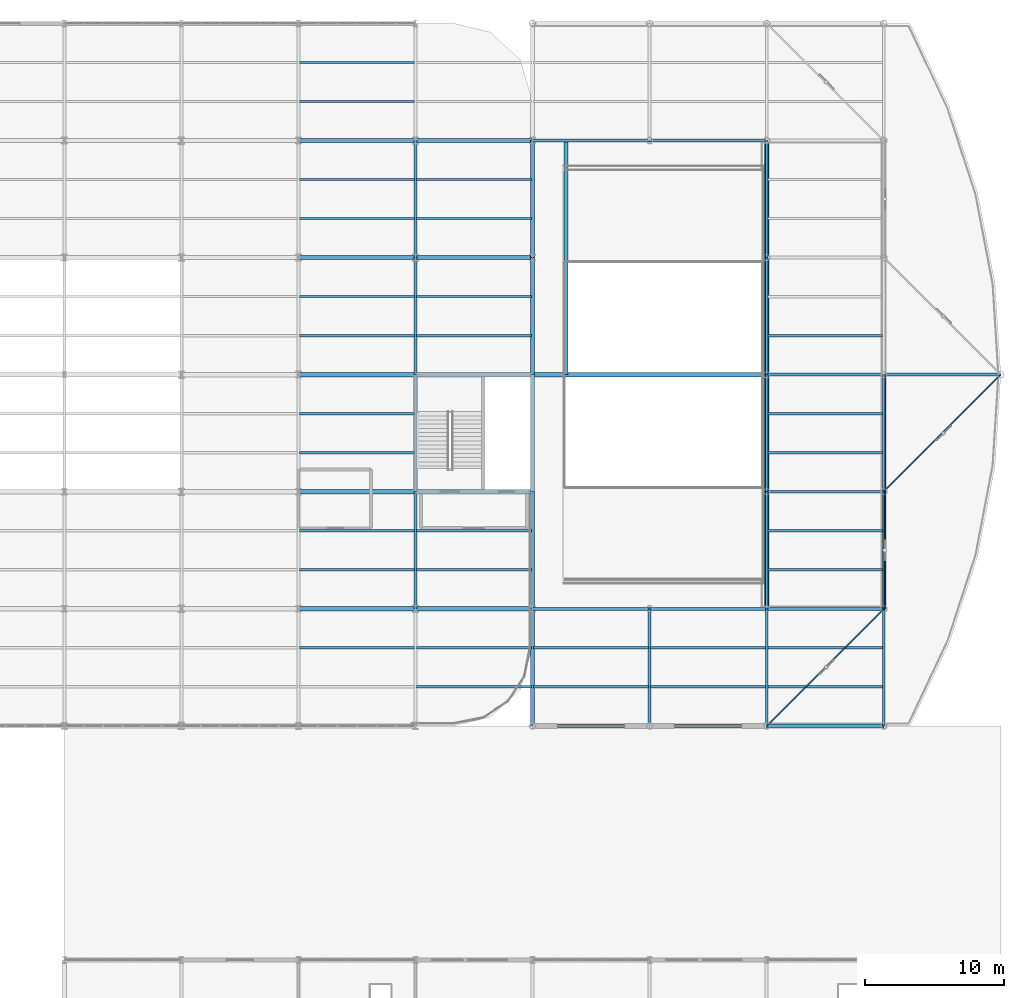
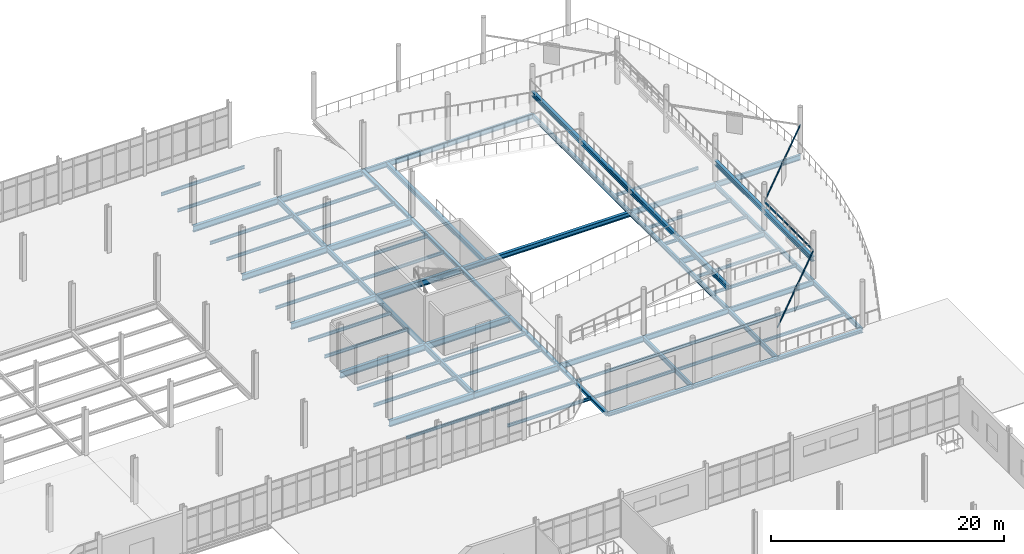
# One storey, part 106 of 145: 80 beams.
"""IFC4 building model written with IfcOpenShell, lengths in metres."""

from ifc_helpers import new_model, si_unit, direction, frame, origin, origin_2d, place, context, subcontext, project, spatial, hollow_rectangle, i_section, extrude, material, material_profile, profile_set, type_object, element, save


model = new_model("IFC4")

# Units and contexts
model_context = context("Model", 3, precision=1e-05, world=origin(), true_north=direction((0.0, 1.0)))
body_context = subcontext(model_context, "Body", "Model", "MODEL_VIEW")
ifc_project = project(units=[si_unit("LENGTHUNIT", "METRE"), si_unit("AREAUNIT", "SQUARE_METRE"), si_unit("VOLUMEUNIT", "CUBIC_METRE"), si_unit("PLANEANGLEUNIT", "RADIAN"), si_unit("MASSUNIT", "GRAM", prefix="KILO")], contexts=[model_context])

# Site, building, storey
site_placement = place(None, origin())
site = spatial("IfcSite", under=ifc_project, at=site_placement, CompositionType="ELEMENT")
building_placement = place(site_placement, origin())
building = spatial("IfcBuilding", under=site, at=building_placement, Name="Qalvenar Corner Mobility Hub", CompositionType="ELEMENT")
storey_placement = place(building_placement, origin())
storey = spatial("IfcBuildingStorey", under=building, at=storey_placement, Name="L00", CompositionType="ELEMENT", Elevation=0.0)

# Beams
ifc_material = material(Name="Steel S355", Category="steel")
ifc_material_profile_1 = material_profile(ifc_material, i_section(OverallWidth=0.300048828125, OverallDepth=0.489990234375, WebThickness=0.011962890625, FlangeThickness=0.02294921875, FilletRadius=0.027099609375, at=origin_2d()), Name="HEA500")
ifc_profile_set_1 = profile_set([ifc_material_profile_1], Name="Steel S355")
beam_type_1 = type_object("IfcBeamType", Name="BM-HEA500", PredefinedType="BEAM", material=ifc_profile_set_1)
for number, where, z_axis, x_axis, name in (
    (1, (142.800048828125, 92.39990234375, -0.512939453125), (1.0, 0.0, 0.0), (0.0, 1.0, 0.0), "Ramp Well Central Tie Girder L00"),
    (2, (145.199951171875, 92.39990234375, -0.512939453125), (0.0, 1.0, 0.0), (-1.0, 0.0, 0.0), "Ramp West Header Girder L00-HI"),
):
    element("IfcBeam", number, at=place(storey_placement, frame(where, z_axis=z_axis, x_axis=x_axis)), inside=storey, type_object=beam_type_1, Name=name, PredefinedType="BEAM", context=body_context, shape_type="SweptSolid", body=[
        extrude(i_section(OverallWidth=0.300048828125, OverallDepth=0.489990234375, WebThickness=0.011962890625, FlangeThickness=0.02294921875, FilletRadius=0.027099609375, at=origin_2d()), origin(), (0.0, 0.0, 1.0), 16.800048828125),
    ])
for number, where, z_axis, x_axis, name in (
    (3, (159.60009765625, 75.60009765625, 1.89697265625), (0.0, 1.0, 0.0), (-1.0, 0.0, 0.0), "Ramp Mid-Landing Girder L00-159-75"),
    (4, (159.60009765625, 84.0, 1.89697265625), (0.0, 1.0, 0.0), (-1.0, 0.0, 0.0), "Ramp Mid-Landing Girder L00-159-84"),
):
    element("IfcBeam", number, at=place(storey_placement, frame(where, z_axis=z_axis, x_axis=x_axis)), inside=storey, type_object=beam_type_1, Name=name, PredefinedType="BEAM", context=body_context, shape_type="SweptSolid", body=[
        extrude(i_section(OverallWidth=0.300048828125, OverallDepth=0.489990234375, WebThickness=0.011962890625, FlangeThickness=0.02294921875, FilletRadius=0.027099609375, at=origin_2d()), origin(), (0.0, 0.0, 1.0), 8.39990234375),
    ])
beam_1_placement = place(storey_placement, frame((159.60009765625, 92.39990234375, 1.89697265625), z_axis=(0.0, 1.0, 0.0), x_axis=(-1.0, 0.0, 0.0)))
element("IfcBeam", 5, at=beam_1_placement, inside=storey, type_object=beam_type_1, Name="Ramp Mid-Landing Girder L00-159-92", PredefinedType="BEAM", context=body_context, shape_type="SweptSolid", body=[
    extrude(i_section(OverallWidth=0.300048828125, OverallDepth=0.489990234375, WebThickness=0.011962890625, FlangeThickness=0.02294921875, FilletRadius=0.027099609375, at=origin_2d()), origin(), (0.0, 0.0, 1.0), 8.400146484375),
])
for number, where, z_axis, x_axis, name in (
    (6, (159.60009765625, 100.800048828125, 1.89697265625), (0.0, 1.0, 0.0), (-1.0, 0.0, 0.0), "Ramp Mid-Landing Girder L00-159-100"),
    (7, (168.0, 75.60009765625, 1.93505859375), (0.0, 1.0, 0.0), (-1.0, 0.0, 0.0), "Ramp Mid-Landing Girder L00-168-75"),
    (8, (168.0, 84.0, 1.93505859375), (0.0, 1.0, 0.0), (-1.0, 0.0, 0.0), "Ramp Mid-Landing Girder L00-168-84"),
):
    element("IfcBeam", number, at=place(storey_placement, frame(where, z_axis=z_axis, x_axis=x_axis)), inside=storey, type_object=beam_type_1, Name=name, PredefinedType="BEAM", context=body_context, shape_type="SweptSolid", body=[
        extrude(i_section(OverallWidth=0.300048828125, OverallDepth=0.489990234375, WebThickness=0.011962890625, FlangeThickness=0.02294921875, FilletRadius=0.027099609375, at=origin_2d()), origin(), (0.0, 0.0, 1.0), 8.39990234375),
    ])
ifc_material_profile_2 = material_profile(ifc_material, i_section(OverallWidth=0.300048828125, OverallDepth=0.639892578125, WebThickness=0.013427734375, FlangeThickness=0.02587890625, FilletRadius=0.027099609375, at=origin_2d()), Name="HEA650")
ifc_profile_set_2 = profile_set([ifc_material_profile_2], Name="Steel S355")
beam_type_2 = type_object("IfcBeamType", Name="BM-HEA650", PredefinedType="BEAM", material=ifc_profile_set_2)
beam_2_placement = place(storey_placement, frame((126.0, 75.60009765625, -0.5400390625), z_axis=(1.0, 0.0, 0.0), x_axis=(0.0, 1.0, 0.0)))
element("IfcBeam", 9, at=beam_2_placement, inside=storey, type_object=beam_type_2, Name="Primary Steel Girder GX-0539", PredefinedType="BEAM", context=body_context, shape_type="SweptSolid", body=[
    extrude(i_section(OverallWidth=0.300048828125, OverallDepth=0.639892578125, WebThickness=0.013427734375, FlangeThickness=0.02587890625, FilletRadius=0.027099609375, at=origin_2d()), origin(), (0.0, 0.0, 1.0), 8.39990234375),
])
beam_3_placement = place(storey_placement, frame((134.39990234375, 75.60009765625, -0.5400390625), z_axis=(1.0, 0.0, 0.0), x_axis=(0.0, 1.0, 0.0)))
element("IfcBeam", 10, at=beam_3_placement, inside=storey, type_object=beam_type_2, Name="Primary Steel Girder GX-0540", PredefinedType="BEAM", context=body_context, shape_type="SweptSolid", body=[
    extrude(i_section(OverallWidth=0.300048828125, OverallDepth=0.639892578125, WebThickness=0.013427734375, FlangeThickness=0.02587890625, FilletRadius=0.027099609375, at=origin_2d()), origin(), (0.0, 0.0, 1.0), 8.400146484375),
])
beam_4_placement = place(storey_placement, frame((126.0, 84.0, -0.5400390625), z_axis=(1.0, 0.0, 0.0), x_axis=(0.0, 1.0, 0.0)))
element("IfcBeam", 11, at=beam_4_placement, inside=storey, type_object=beam_type_2, Name="Primary Steel Girder GX-0549", PredefinedType="BEAM", context=body_context, shape_type="SweptSolid", body=[
    extrude(i_section(OverallWidth=0.300048828125, OverallDepth=0.639892578125, WebThickness=0.013427734375, FlangeThickness=0.02587890625, FilletRadius=0.027099609375, at=origin_2d()), origin(), (0.0, 0.0, 1.0), 8.39990234375),
])
beam_5_placement = place(storey_placement, frame((134.39990234375, 84.0, -0.5400390625), z_axis=(1.0, 0.0, 0.0), x_axis=(0.0, 1.0, 0.0)))
element("IfcBeam", 12, at=beam_5_placement, inside=storey, type_object=beam_type_2, Name="Primary Steel Girder GX-0550", PredefinedType="BEAM", context=body_context, shape_type="SweptSolid", body=[
    extrude(i_section(OverallWidth=0.300048828125, OverallDepth=0.639892578125, WebThickness=0.013427734375, FlangeThickness=0.02587890625, FilletRadius=0.027099609375, at=origin_2d()), origin(), (0.0, 0.0, 1.0), 8.400146484375),
])
beam_6_placement = place(storey_placement, frame((126.0, 92.39990234375, -0.5400390625), z_axis=(1.0, 0.0, 0.0), x_axis=(0.0, 1.0, 0.0)))
element("IfcBeam", 13, at=beam_6_placement, inside=storey, type_object=beam_type_2, Name="Primary Steel Girder GX-0559", PredefinedType="BEAM", context=body_context, shape_type="SweptSolid", body=[
    extrude(i_section(OverallWidth=0.300048828125, OverallDepth=0.639892578125, WebThickness=0.013427734375, FlangeThickness=0.02587890625, FilletRadius=0.027099609375, at=origin_2d()), origin(), (0.0, 0.0, 1.0), 8.39990234375),
])
beam_7_placement = place(storey_placement, frame((134.39990234375, 92.39990234375, -0.5400390625), z_axis=(1.0, 0.0, 0.0), x_axis=(0.0, 1.0, 0.0)))
element("IfcBeam", 14, at=beam_7_placement, inside=storey, type_object=beam_type_2, Name="Primary Steel Girder GX-0560", PredefinedType="BEAM", context=body_context, shape_type="SweptSolid", body=[
    extrude(i_section(OverallWidth=0.300048828125, OverallDepth=0.639892578125, WebThickness=0.013427734375, FlangeThickness=0.02587890625, FilletRadius=0.027099609375, at=origin_2d()), origin(), (0.0, 0.0, 1.0), 8.400146484375),
])
beam_8_placement = place(storey_placement, frame((126.0, 100.800048828125, -0.5400390625), z_axis=(1.0, 0.0, 0.0), x_axis=(0.0, 1.0, 0.0)))
element("IfcBeam", 15, at=beam_8_placement, inside=storey, type_object=beam_type_2, Name="Primary Steel Girder GX-0569", PredefinedType="BEAM", context=body_context, shape_type="SweptSolid", body=[
    extrude(i_section(OverallWidth=0.300048828125, OverallDepth=0.639892578125, WebThickness=0.013427734375, FlangeThickness=0.02587890625, FilletRadius=0.027099609375, at=origin_2d()), origin(), (0.0, 0.0, 1.0), 8.39990234375),
])
beam_9_placement = place(storey_placement, frame((134.39990234375, 100.800048828125, -0.5400390625), z_axis=(1.0, 0.0, 0.0), x_axis=(0.0, 1.0, 0.0)))
element("IfcBeam", 16, at=beam_9_placement, inside=storey, type_object=beam_type_2, Name="Primary Steel Girder GX-0570", PredefinedType="BEAM", context=body_context, shape_type="SweptSolid", body=[
    extrude(i_section(OverallWidth=0.300048828125, OverallDepth=0.639892578125, WebThickness=0.013427734375, FlangeThickness=0.02587890625, FilletRadius=0.027099609375, at=origin_2d()), origin(), (0.0, 0.0, 1.0), 8.400146484375),
])
beam_10_placement = place(storey_placement, frame((126.0, 109.199951171875, -0.5400390625), z_axis=(1.0, 0.0, 0.0), x_axis=(0.0, 1.0, 0.0)))
element("IfcBeam", 17, at=beam_10_placement, inside=storey, type_object=beam_type_2, Name="Primary Steel Girder GX-0579", PredefinedType="BEAM", context=body_context, shape_type="SweptSolid", body=[
    extrude(i_section(OverallWidth=0.300048828125, OverallDepth=0.639892578125, WebThickness=0.013427734375, FlangeThickness=0.02587890625, FilletRadius=0.027099609375, at=origin_2d()), origin(), (0.0, 0.0, 1.0), 8.39990234375),
])
beam_11_placement = place(storey_placement, frame((134.39990234375, 109.199951171875, -0.5400390625), z_axis=(1.0, 0.0, 0.0), x_axis=(0.0, 1.0, 0.0)))
element("IfcBeam", 18, at=beam_11_placement, inside=storey, type_object=beam_type_2, Name="Primary Steel Girder GX-0580", PredefinedType="BEAM", context=body_context, shape_type="SweptSolid", body=[
    extrude(i_section(OverallWidth=0.300048828125, OverallDepth=0.639892578125, WebThickness=0.013427734375, FlangeThickness=0.02587890625, FilletRadius=0.027099609375, at=origin_2d()), origin(), (0.0, 0.0, 1.0), 8.400146484375),
])
ifc_material_profile_3 = material_profile(ifc_material, i_section(OverallWidth=0.199951171875, OverallDepth=0.5, WebThickness=0.01025390625, FlangeThickness=0.01611328125, FilletRadius=0.02099609375, at=origin_2d()), Name="IPE500")
ifc_profile_set_3 = profile_set([ifc_material_profile_3], Name="Steel S355")
beam_type_3 = type_object("IfcBeamType", Name="BM-IPE500", PredefinedType="BEAM", material=ifc_profile_set_3)
for number, where, z_axis, x_axis, name in (
    (19, (151.199951171875, 67.199951171875, -0.469970703125), (0.0, 1.0, 0.0), (-1.0, 0.0, 0.0), "Primary Steel Girder GY-0777"),
    (20, (159.60009765625, 67.199951171875, -0.469970703125), (0.0, 1.0, 0.0), (-1.0, 0.0, 0.0), "Primary Steel Girder GY-0779"),
):
    element("IfcBeam", number, at=place(storey_placement, frame(where, z_axis=z_axis, x_axis=x_axis)), inside=storey, type_object=beam_type_3, Name=name, PredefinedType="BEAM", context=body_context, shape_type="SweptSolid", body=[
        extrude(i_section(OverallWidth=0.199951171875, OverallDepth=0.5, WebThickness=0.01025390625, FlangeThickness=0.01611328125, FilletRadius=0.02099609375, at=origin_2d()), origin(), (0.0, 0.0, 1.0), 8.400146484375),
    ])
for number, where, z_axis, x_axis, name in (
    (21, (159.60009765625, 75.60009765625, -0.469970703125), (0.0, 1.0, 0.0), (-1.0, 0.0, 0.0), "Primary Steel Girder GY-0780"),
    (22, (159.60009765625, 84.0, -0.469970703125), (0.0, 1.0, 0.0), (-1.0, 0.0, 0.0), "Primary Steel Girder GY-0781"),
):
    element("IfcBeam", number, at=place(storey_placement, frame(where, z_axis=z_axis, x_axis=x_axis)), inside=storey, type_object=beam_type_3, Name=name, PredefinedType="BEAM", context=body_context, shape_type="SweptSolid", body=[
        extrude(i_section(OverallWidth=0.199951171875, OverallDepth=0.5, WebThickness=0.01025390625, FlangeThickness=0.01611328125, FilletRadius=0.02099609375, at=origin_2d()), origin(), (0.0, 0.0, 1.0), 8.39990234375),
    ])
beam_12_placement = place(storey_placement, frame((159.60009765625, 92.39990234375, -0.469970703125), z_axis=(0.0, 1.0, 0.0), x_axis=(-1.0, 0.0, 0.0)))
element("IfcBeam", 23, at=beam_12_placement, inside=storey, type_object=beam_type_3, Name="Primary Steel Girder GY-0782", PredefinedType="BEAM", context=body_context, shape_type="SweptSolid", body=[
    extrude(i_section(OverallWidth=0.199951171875, OverallDepth=0.5, WebThickness=0.01025390625, FlangeThickness=0.01611328125, FilletRadius=0.02099609375, at=origin_2d()), origin(), (0.0, 0.0, 1.0), 8.400146484375),
])
beam_13_placement = place(storey_placement, frame((159.60009765625, 100.800048828125, -0.469970703125), z_axis=(0.0, 1.0, 0.0), x_axis=(-1.0, 0.0, 0.0)))
element("IfcBeam", 24, at=beam_13_placement, inside=storey, type_object=beam_type_3, Name="Primary Steel Girder GY-0783", PredefinedType="BEAM", context=body_context, shape_type="SweptSolid", body=[
    extrude(i_section(OverallWidth=0.199951171875, OverallDepth=0.5, WebThickness=0.01025390625, FlangeThickness=0.01611328125, FilletRadius=0.02099609375, at=origin_2d()), origin(), (0.0, 0.0, 1.0), 8.39990234375),
])
beam_14_placement = place(storey_placement, frame((168.0, 67.199951171875, -0.469970703125), z_axis=(0.0, 1.0, 0.0), x_axis=(-1.0, 0.0, 0.0)))
element("IfcBeam", 25, at=beam_14_placement, inside=storey, type_object=beam_type_3, Name="Primary Steel Girder GY-0785", PredefinedType="BEAM", context=body_context, shape_type="SweptSolid", body=[
    extrude(i_section(OverallWidth=0.199951171875, OverallDepth=0.5, WebThickness=0.01025390625, FlangeThickness=0.01611328125, FilletRadius=0.02099609375, at=origin_2d()), origin(), (0.0, 0.0, 1.0), 8.400146484375),
])
for number, where, z_axis, x_axis, name in (
    (26, (168.0, 75.60009765625, -0.469970703125), (0.0, 1.0, 0.0), (-1.0, 0.0, 0.0), "Primary Steel Girder GY-0786"),
    (27, (168.0, 84.0, -0.469970703125), (0.0, 1.0, 0.0), (-1.0, 0.0, 0.0), "Primary Steel Girder GY-0787"),
):
    element("IfcBeam", number, at=place(storey_placement, frame(where, z_axis=z_axis, x_axis=x_axis)), inside=storey, type_object=beam_type_3, Name=name, PredefinedType="BEAM", context=body_context, shape_type="SweptSolid", body=[
        extrude(i_section(OverallWidth=0.199951171875, OverallDepth=0.5, WebThickness=0.01025390625, FlangeThickness=0.01611328125, FilletRadius=0.02099609375, at=origin_2d()), origin(), (0.0, 0.0, 1.0), 8.39990234375),
    ])
ifc_material_profile_4 = material_profile(ifc_material, i_section(OverallWidth=0.2099609375, OverallDepth=0.550048828125, WebThickness=0.010986328125, FlangeThickness=0.01708984375, FilletRadius=0.02392578125, at=origin_2d()), Name="IPE550")
ifc_profile_set_4 = profile_set([ifc_material_profile_4], Name="Steel S355")
beam_type_4 = type_object("IfcBeamType", Name="BM-IPE550", PredefinedType="BEAM", material=ifc_profile_set_4)
for number, where, z_axis, x_axis, name in (
    (28, (134.39990234375, 75.60009765625, -0.4951171875), (0.0, 1.0, 0.0), (-1.0, 0.0, 0.0), "Primary Steel Girder GY-0642"),
    (29, (134.39990234375, 84.0, -0.4951171875), (0.0, 1.0, 0.0), (-1.0, 0.0, 0.0), "Primary Steel Girder GY-0643"),
):
    element("IfcBeam", number, at=place(storey_placement, frame(where, z_axis=z_axis, x_axis=x_axis)), inside=storey, type_object=beam_type_4, Name=name, PredefinedType="BEAM", context=body_context, shape_type="SweptSolid", body=[
        extrude(i_section(OverallWidth=0.2099609375, OverallDepth=0.550048828125, WebThickness=0.010986328125, FlangeThickness=0.01708984375, FilletRadius=0.02392578125, at=origin_2d()), origin(), (0.0, 0.0, 1.0), 8.39990234375),
    ])
beam_15_placement = place(storey_placement, frame((134.39990234375, 92.39990234375, -0.4951171875), z_axis=(0.0, 1.0, 0.0), x_axis=(-1.0, 0.0, 0.0)))
element("IfcBeam", 30, at=beam_15_placement, inside=storey, type_object=beam_type_4, Name="Primary Steel Girder GY-0644", PredefinedType="BEAM", context=body_context, shape_type="SweptSolid", body=[
    extrude(i_section(OverallWidth=0.2099609375, OverallDepth=0.550048828125, WebThickness=0.010986328125, FlangeThickness=0.01708984375, FilletRadius=0.02392578125, at=origin_2d()), origin(), (0.0, 0.0, 1.0), 8.400146484375),
])
for number, where, z_axis, x_axis, name in (
    (31, (134.39990234375, 100.800048828125, -0.4951171875), (0.0, 1.0, 0.0), (-1.0, 0.0, 0.0), "Primary Steel Girder GY-0645"),
    (32, (142.800048828125, 75.60009765625, -0.4951171875), (1.0, 0.0, 0.0), (0.0, 1.0, 0.0), "Primary Steel Girder GX-0762"),
):
    element("IfcBeam", number, at=place(storey_placement, frame(where, z_axis=z_axis, x_axis=x_axis)), inside=storey, type_object=beam_type_4, Name=name, PredefinedType="BEAM", context=body_context, shape_type="SweptSolid", body=[
        extrude(i_section(OverallWidth=0.2099609375, OverallDepth=0.550048828125, WebThickness=0.010986328125, FlangeThickness=0.01708984375, FilletRadius=0.02392578125, at=origin_2d()), origin(), (0.0, 0.0, 1.0), 8.39990234375),
    ])
beam_16_placement = place(storey_placement, frame((151.199951171875, 75.60009765625, -0.4951171875), z_axis=(1.0, 0.0, 0.0), x_axis=(0.0, 1.0, 0.0)))
element("IfcBeam", 33, at=beam_16_placement, inside=storey, type_object=beam_type_4, Name="Primary Steel Girder GX-0763", PredefinedType="BEAM", context=body_context, shape_type="SweptSolid", body=[
    extrude(i_section(OverallWidth=0.2099609375, OverallDepth=0.550048828125, WebThickness=0.010986328125, FlangeThickness=0.01708984375, FilletRadius=0.02392578125, at=origin_2d()), origin(), (0.0, 0.0, 1.0), 8.400146484375),
])
for number, where, z_axis, x_axis, name in (
    (34, (159.60009765625, 75.60009765625, -0.4951171875), (1.0, 0.0, 0.0), (0.0, 1.0, 0.0), "Primary Steel Girder GX-0764"),
    (35, (159.60009765625, 84.0, -0.4951171875), (1.0, 0.0, 0.0), (0.0, 1.0, 0.0), "Primary Steel Girder GX-0765"),
    (36, (159.60009765625, 92.39990234375, -0.4951171875), (1.0, 0.0, 0.0), (0.0, 1.0, 0.0), "Primary Steel Girder GX-0766"),
    (37, (168.0, 92.39990234375, -0.4951171875), (1.0, 0.0, 0.0), (0.0, 1.0, 0.0), "Primary Steel Girder GX-0767"),
    (38, (142.800048828125, 109.199951171875, -0.4951171875), (1.0, 0.0, 0.0), (0.0, 1.0, 0.0), "Primary Steel Girder GX-0769"),
):
    element("IfcBeam", number, at=place(storey_placement, frame(where, z_axis=z_axis, x_axis=x_axis)), inside=storey, type_object=beam_type_4, Name=name, PredefinedType="BEAM", context=body_context, shape_type="SweptSolid", body=[
        extrude(i_section(OverallWidth=0.2099609375, OverallDepth=0.550048828125, WebThickness=0.010986328125, FlangeThickness=0.01708984375, FilletRadius=0.02392578125, at=origin_2d()), origin(), (0.0, 0.0, 1.0), 8.39990234375),
    ])
beam_17_placement = place(storey_placement, frame((151.199951171875, 109.199951171875, -0.4951171875), z_axis=(1.0, 0.0, 0.0), x_axis=(0.0, 1.0, 0.0)))
element("IfcBeam", 39, at=beam_17_placement, inside=storey, type_object=beam_type_4, Name="Primary Steel Girder GX-0770", PredefinedType="BEAM", context=body_context, shape_type="SweptSolid", body=[
    extrude(i_section(OverallWidth=0.2099609375, OverallDepth=0.550048828125, WebThickness=0.010986328125, FlangeThickness=0.01708984375, FilletRadius=0.02392578125, at=origin_2d()), origin(), (0.0, 0.0, 1.0), 8.400146484375),
])
ifc_material_profile_5 = material_profile(ifc_material, i_section(OverallWidth=0.1650390625, OverallDepth=0.31005859375, WebThickness=0.005859375, FlangeThickness=0.009765625, FilletRadius=0.011962890625, at=origin_2d()), Name="W310x38.7")
ifc_profile_set_5 = profile_set([ifc_material_profile_5], Name="Steel S355")
beam_type_5 = type_object("IfcBeamType", Name="BM-JST310", PredefinedType="JOIST", material=ifc_profile_set_5)
for number, where, z_axis, x_axis, name in (
    (40, (134.47802734375, 70.0, -0.375), (1.0, 0.0, 0.0), (0.0, 1.0, 0.0), "Composite Floor Joist J-0791"),
    (41, (134.47802734375, 72.800048828125, -0.375), (1.0, 0.0, 0.0), (0.0, 1.0, 0.0), "Composite Floor Joist J-0792"),
):
    element("IfcBeam", number, at=place(storey_placement, frame(where, z_axis=z_axis, x_axis=x_axis)), inside=storey, type_object=beam_type_5, Name=name, PredefinedType="JOIST", context=body_context, shape_type="SweptSolid", body=[
        extrude(i_section(OverallWidth=0.1650390625, OverallDepth=0.31005859375, WebThickness=0.005859375, FlangeThickness=0.009765625, FilletRadius=0.011962890625, at=origin_2d()), origin(), (0.0, 0.0, 1.0), 8.243896484375),
    ])
for number, where, z_axis, x_axis, name in (
    (42, (142.8779296875, 70.0, -0.375), (1.0, 0.0, 0.0), (0.0, 1.0, 0.0), "Composite Floor Joist J-0795"),
    (43, (142.8779296875, 72.800048828125, -0.375), (1.0, 0.0, 0.0), (0.0, 1.0, 0.0), "Composite Floor Joist J-0796"),
):
    element("IfcBeam", number, at=place(storey_placement, frame(where, z_axis=z_axis, x_axis=x_axis)), inside=storey, type_object=beam_type_5, Name=name, PredefinedType="JOIST", context=body_context, shape_type="SweptSolid", body=[
        extrude(i_section(OverallWidth=0.1650390625, OverallDepth=0.31005859375, WebThickness=0.005859375, FlangeThickness=0.009765625, FilletRadius=0.011962890625, at=origin_2d()), origin(), (0.0, 0.0, 1.0), 8.244140625),
    ])
for number, where, z_axis, x_axis, name in (
    (44, (151.278076171875, 70.0, -0.375), (1.0, 0.0, 0.0), (0.0, 1.0, 0.0), "Composite Floor Joist J-0799"),
    (45, (151.278076171875, 72.800048828125, -0.375), (1.0, 0.0, 0.0), (0.0, 1.0, 0.0), "Composite Floor Joist J-0800"),
):
    element("IfcBeam", number, at=place(storey_placement, frame(where, z_axis=z_axis, x_axis=x_axis)), inside=storey, type_object=beam_type_5, Name=name, PredefinedType="JOIST", context=body_context, shape_type="SweptSolid", body=[
        extrude(i_section(OverallWidth=0.1650390625, OverallDepth=0.31005859375, WebThickness=0.005859375, FlangeThickness=0.009765625, FilletRadius=0.011962890625, at=origin_2d()), origin(), (0.0, 0.0, 1.0), 8.243896484375),
    ])
for number, where, z_axis, x_axis, name in (
    (46, (159.677978515625, 70.0, -0.375), (1.0, 0.0, 0.0), (0.0, 1.0, 0.0), "Composite Floor Joist J-0803"),
    (47, (159.677978515625, 72.800048828125, -0.375), (1.0, 0.0, 0.0), (0.0, 1.0, 0.0), "Composite Floor Joist J-0804"),
    (48, (159.677978515625, 78.39990234375, -0.375), (1.0, 0.0, 0.0), (0.0, 1.0, 0.0), "Composite Floor Joist J-0805"),
    (49, (159.677978515625, 81.199951171875, -0.375), (1.0, 0.0, 0.0), (0.0, 1.0, 0.0), "Composite Floor Joist J-0806"),
    (50, (159.677978515625, 86.800048828125, -0.375), (1.0, 0.0, 0.0), (0.0, 1.0, 0.0), "Composite Floor Joist J-0807"),
    (51, (159.677978515625, 89.60009765625, -0.375), (1.0, 0.0, 0.0), (0.0, 1.0, 0.0), "Composite Floor Joist J-0808"),
    (52, (159.677978515625, 95.199951171875, -0.375), (1.0, 0.0, 0.0), (0.0, 1.0, 0.0), "Composite Floor Joist J-0809"),
):
    element("IfcBeam", number, at=place(storey_placement, frame(where, z_axis=z_axis, x_axis=x_axis)), inside=storey, type_object=beam_type_5, Name=name, PredefinedType="JOIST", context=body_context, shape_type="SweptSolid", body=[
        extrude(i_section(OverallWidth=0.1650390625, OverallDepth=0.31005859375, WebThickness=0.005859375, FlangeThickness=0.009765625, FilletRadius=0.011962890625, at=origin_2d()), origin(), (0.0, 0.0, 1.0), 8.244140625),
    ])
ifc_material_profile_6 = material_profile(ifc_material, i_section(OverallWidth=0.159912109375, OverallDepth=0.330078125, WebThickness=0.007568359375, FlangeThickness=0.011474609375, FilletRadius=0.01806640625, at=origin_2d()), Name="IPE330")
ifc_profile_set_6 = profile_set([ifc_material_profile_6], Name="Steel S355")
beam_type_6 = type_object("IfcBeamType", Name="BM-JST330", PredefinedType="JOIST", material=ifc_profile_set_6)
for number, where, z_axis, x_axis, name in (
    (53, (126.077880859375, 72.800048828125, -0.385009765625), (1.0, 0.0, 0.0), (0.0, 1.0, 0.0), "Composite Floor Joist J-0742"),
    (54, (126.077880859375, 78.39990234375, -0.385009765625), (1.0, 0.0, 0.0), (0.0, 1.0, 0.0), "Composite Floor Joist J-0743"),
    (55, (126.077880859375, 81.199951171875, -0.385009765625), (1.0, 0.0, 0.0), (0.0, 1.0, 0.0), "Composite Floor Joist J-0744"),
    (56, (126.077880859375, 86.800048828125, -0.385009765625), (1.0, 0.0, 0.0), (0.0, 1.0, 0.0), "Composite Floor Joist J-0745"),
    (57, (126.077880859375, 89.60009765625, -0.385009765625), (1.0, 0.0, 0.0), (0.0, 1.0, 0.0), "Composite Floor Joist J-0746"),
    (58, (126.077880859375, 95.199951171875, -0.385009765625), (1.0, 0.0, 0.0), (0.0, 1.0, 0.0), "Composite Floor Joist J-0747"),
    (59, (126.077880859375, 98.0, -0.385009765625), (1.0, 0.0, 0.0), (0.0, 1.0, 0.0), "Composite Floor Joist J-0748"),
    (60, (126.077880859375, 103.60009765625, -0.385009765625), (1.0, 0.0, 0.0), (0.0, 1.0, 0.0), "Composite Floor Joist J-0749"),
    (61, (126.077880859375, 106.39990234375, -0.385009765625), (1.0, 0.0, 0.0), (0.0, 1.0, 0.0), "Composite Floor Joist J-0750"),
    (62, (126.077880859375, 112.0, -0.385009765625), (1.0, 0.0, 0.0), (0.0, 1.0, 0.0), "Composite Floor Joist J-0751"),
    (63, (126.077880859375, 114.800048828125, -0.385009765625), (1.0, 0.0, 0.0), (0.0, 1.0, 0.0), "Composite Floor Joist J-0752"),
):
    element("IfcBeam", number, at=place(storey_placement, frame(where, z_axis=z_axis, x_axis=x_axis)), inside=storey, type_object=beam_type_6, Name=name, PredefinedType="JOIST", context=body_context, shape_type="SweptSolid", body=[
        extrude(i_section(OverallWidth=0.159912109375, OverallDepth=0.330078125, WebThickness=0.007568359375, FlangeThickness=0.011474609375, FilletRadius=0.01806640625, at=origin_2d()), origin(), (0.0, 0.0, 1.0), 8.244140625),
    ])
for number, where, z_axis, x_axis, name in (
    (64, (134.47802734375, 78.39990234375, -0.385009765625), (1.0, 0.0, 0.0), (0.0, 1.0, 0.0), "Composite Floor Joist J-0753"),
    (65, (134.47802734375, 81.199951171875, -0.385009765625), (1.0, 0.0, 0.0), (0.0, 1.0, 0.0), "Composite Floor Joist J-0754"),
    (66, (134.47802734375, 95.199951171875, -0.385009765625), (1.0, 0.0, 0.0), (0.0, 1.0, 0.0), "Composite Floor Joist J-0755"),
    (67, (134.47802734375, 98.0, -0.385009765625), (1.0, 0.0, 0.0), (0.0, 1.0, 0.0), "Composite Floor Joist J-0756"),
    (68, (134.47802734375, 103.60009765625, -0.385009765625), (1.0, 0.0, 0.0), (0.0, 1.0, 0.0), "Composite Floor Joist J-0757"),
    (69, (134.47802734375, 106.39990234375, -0.385009765625), (1.0, 0.0, 0.0), (0.0, 1.0, 0.0), "Composite Floor Joist J-0758"),
):
    element("IfcBeam", number, at=place(storey_placement, frame(where, z_axis=z_axis, x_axis=x_axis)), inside=storey, type_object=beam_type_6, Name=name, PredefinedType="JOIST", context=body_context, shape_type="SweptSolid", body=[
        extrude(i_section(OverallWidth=0.159912109375, OverallDepth=0.330078125, WebThickness=0.007568359375, FlangeThickness=0.011474609375, FilletRadius=0.01806640625, at=origin_2d()), origin(), (0.0, 0.0, 1.0), 8.243896484375),
    ])
ifc_material_profile_7 = material_profile(ifc_material, i_section(OverallWidth=0.300048828125, OverallDepth=0.330078125, WebThickness=0.009521484375, FlangeThickness=0.0166015625, FilletRadius=0.027099609375, at=origin_2d()), Name="HEA340")
ifc_profile_set_7 = profile_set([ifc_material_profile_7], Name="Steel S355")
beam_type_7 = type_object("IfcBeamType", Name="BM-SPN340", PredefinedType="SPANDREL", material=ifc_profile_set_7)
for number, where, z_axis, x_axis, name in (
    (70, (142.800048828125, 75.60009765625, -0.385009765625), (0.0, 1.0, 0.0), (-1.0, 0.0, 0.0), "Primary Steel Girder GY-0647"),
    (71, (142.800048828125, 84.0, -0.385009765625), (0.0, 1.0, 0.0), (-1.0, 0.0, 0.0), "Primary Steel Girder GY-0648"),
):
    element("IfcBeam", number, at=place(storey_placement, frame(where, z_axis=z_axis, x_axis=x_axis)), inside=storey, type_object=beam_type_7, Name=name, PredefinedType="SPANDREL", context=body_context, shape_type="SweptSolid", body=[
        extrude(i_section(OverallWidth=0.300048828125, OverallDepth=0.330078125, WebThickness=0.009521484375, FlangeThickness=0.0166015625, FilletRadius=0.027099609375, at=origin_2d()), origin(), (0.0, 0.0, 1.0), 8.39990234375),
    ])
beam_18_placement = place(storey_placement, frame((142.800048828125, 92.39990234375, -0.385009765625), z_axis=(0.0, 1.0, 0.0), x_axis=(-1.0, 0.0, 0.0)))
element("IfcBeam", 72, at=beam_18_placement, inside=storey, type_object=beam_type_7, Name="Primary Steel Girder GY-0649", PredefinedType="SPANDREL", context=body_context, shape_type="SweptSolid", body=[
    extrude(i_section(OverallWidth=0.300048828125, OverallDepth=0.330078125, WebThickness=0.009521484375, FlangeThickness=0.0166015625, FilletRadius=0.027099609375, at=origin_2d()), origin(), (0.0, 0.0, 1.0), 8.400146484375),
])
beam_19_placement = place(storey_placement, frame((142.800048828125, 100.800048828125, -0.385009765625), z_axis=(0.0, 1.0, 0.0), x_axis=(-1.0, 0.0, 0.0)))
element("IfcBeam", 73, at=beam_19_placement, inside=storey, type_object=beam_type_7, Name="Primary Steel Girder GY-0650", PredefinedType="SPANDREL", context=body_context, shape_type="SweptSolid", body=[
    extrude(i_section(OverallWidth=0.300048828125, OverallDepth=0.330078125, WebThickness=0.009521484375, FlangeThickness=0.0166015625, FilletRadius=0.027099609375, at=origin_2d()), origin(), (0.0, 0.0, 1.0), 8.39990234375),
])
beam_20_placement = place(storey_placement, frame((142.800048828125, 67.199951171875, -0.385009765625), z_axis=(0.0, 1.0, 0.0), x_axis=(-1.0, 0.0, 0.0)))
element("IfcBeam", 74, at=beam_20_placement, inside=storey, type_object=beam_type_7, Name="Primary Steel Girder GY-0775", PredefinedType="SPANDREL", context=body_context, shape_type="SweptSolid", body=[
    extrude(i_section(OverallWidth=0.300048828125, OverallDepth=0.330078125, WebThickness=0.009521484375, FlangeThickness=0.0166015625, FilletRadius=0.027099609375, at=origin_2d()), origin(), (0.0, 0.0, 1.0), 8.400146484375),
])
ifc_material_profile_8 = material_profile(ifc_material, i_section(OverallWidth=0.300048828125, OverallDepth=0.35009765625, WebThickness=0.010009765625, FlangeThickness=0.017578125, FilletRadius=0.027099609375, at=origin_2d()), Name="HEA360")
ifc_profile_set_8 = profile_set([ifc_material_profile_8], Name="Steel S355")
beam_type_8 = type_object("IfcBeamType", Name="BM-SPN360", PredefinedType="SPANDREL", material=ifc_profile_set_8)
beam_21_placement = place(storey_placement, frame((142.800048828125, 67.199951171875, -0.39501953125), z_axis=(1.0, 0.0, 0.0), x_axis=(0.0, 1.0, 0.0)))
element("IfcBeam", 75, at=beam_21_placement, inside=storey, type_object=beam_type_8, Name="Primary Steel Girder GX-0759", PredefinedType="SPANDREL", context=body_context, shape_type="SweptSolid", body=[
    extrude(i_section(OverallWidth=0.300048828125, OverallDepth=0.35009765625, WebThickness=0.010009765625, FlangeThickness=0.017578125, FilletRadius=0.027099609375, at=origin_2d()), origin(), (0.0, 0.0, 1.0), 8.39990234375),
])
beam_22_placement = place(storey_placement, frame((151.199951171875, 67.199951171875, -0.39501953125), z_axis=(1.0, 0.0, 0.0), x_axis=(0.0, 1.0, 0.0)))
element("IfcBeam", 76, at=beam_22_placement, inside=storey, type_object=beam_type_8, Name="Primary Steel Girder GX-0760", PredefinedType="SPANDREL", context=body_context, shape_type="SweptSolid", body=[
    extrude(i_section(OverallWidth=0.300048828125, OverallDepth=0.35009765625, WebThickness=0.010009765625, FlangeThickness=0.017578125, FilletRadius=0.027099609375, at=origin_2d()), origin(), (0.0, 0.0, 1.0), 8.400146484375),
])
beam_23_placement = place(storey_placement, frame((159.60009765625, 67.199951171875, -0.39501953125), z_axis=(1.0, 0.0, 0.0), x_axis=(0.0, 1.0, 0.0)))
element("IfcBeam", 77, at=beam_23_placement, inside=storey, type_object=beam_type_8, Name="Primary Steel Girder GX-0761", PredefinedType="SPANDREL", context=body_context, shape_type="SweptSolid", body=[
    extrude(i_section(OverallWidth=0.300048828125, OverallDepth=0.35009765625, WebThickness=0.010009765625, FlangeThickness=0.017578125, FilletRadius=0.027099609375, at=origin_2d()), origin(), (0.0, 0.0, 1.0), 8.39990234375),
])
ifc_material_profile_9 = material_profile(ifc_material, hollow_rectangle(XDim=0.10009765625, YDim=0.14990234375, WallThickness=0.00634765625, InnerFilletRadius=0.00634765625, OuterFilletRadius=0.0126953125, at=origin_2d()), Name="RHS150x100x6.3")
ifc_profile_set_9 = profile_set([ifc_material_profile_9], Name="Steel S355")
beam_type_9 = type_object("IfcBeamType", Name="FR-RAIL150", PredefinedType="SPANDREL", material=ifc_profile_set_9)
beam_24_placement = place(storey_placement, frame((159.60009765625, 67.199951171875, 2.85009765625), z_axis=(0.707096505339, 0.707117056885, 0.0), x_axis=(-0.707117056885, 0.707096505339, 0.0)))
element("IfcBeam", 78, at=beam_24_placement, inside=storey, type_object=beam_type_9, Name="Rotunda Screen Rail V2-L00-1", PredefinedType="SPANDREL", context=body_context, shape_type="SweptSolid", body=[
    extrude(hollow_rectangle(XDim=0.10009765625, YDim=0.14990234375, WallThickness=0.00634765625, InnerFilletRadius=0.00634765625, OuterFilletRadius=0.0126953125, at=origin_2d()), origin(), (0.0, 0.0, 1.0), 11.87939453125),
])
beam_25_placement = place(storey_placement, frame((168.0, 75.60009765625, 2.85009765625), z_axis=(0.0, 1.0, 0.0), x_axis=(-1.0, 0.0, 0.0)))
element("IfcBeam", 79, at=beam_25_placement, inside=storey, type_object=beam_type_9, Name="Rotunda Screen Rail V2-L00-2", PredefinedType="SPANDREL", context=body_context, shape_type="SweptSolid", body=[
    extrude(hollow_rectangle(XDim=0.10009765625, YDim=0.14990234375, WallThickness=0.00634765625, InnerFilletRadius=0.00634765625, OuterFilletRadius=0.0126953125, at=origin_2d()), origin(), (0.0, 0.0, 1.0), 8.39990234375),
])
beam_26_placement = place(storey_placement, frame((168.0, 84.0, 2.85009765625), z_axis=(0.707106781187, 0.707106781187, 0.0), x_axis=(-0.707106781187, 0.707106781187, 0.0)))
element("IfcBeam", 80, at=beam_26_placement, inside=storey, type_object=beam_type_9, Name="Rotunda Screen Rail V2-L00-3", PredefinedType="SPANDREL", context=body_context, shape_type="SweptSolid", body=[
    extrude(hollow_rectangle(XDim=0.10009765625, YDim=0.14990234375, WallThickness=0.00634765625, InnerFilletRadius=0.00634765625, OuterFilletRadius=0.0126953125, at=origin_2d()), origin(), (0.0, 0.0, 1.0), 11.879150390625),
])

save(model, "model.ifc")
